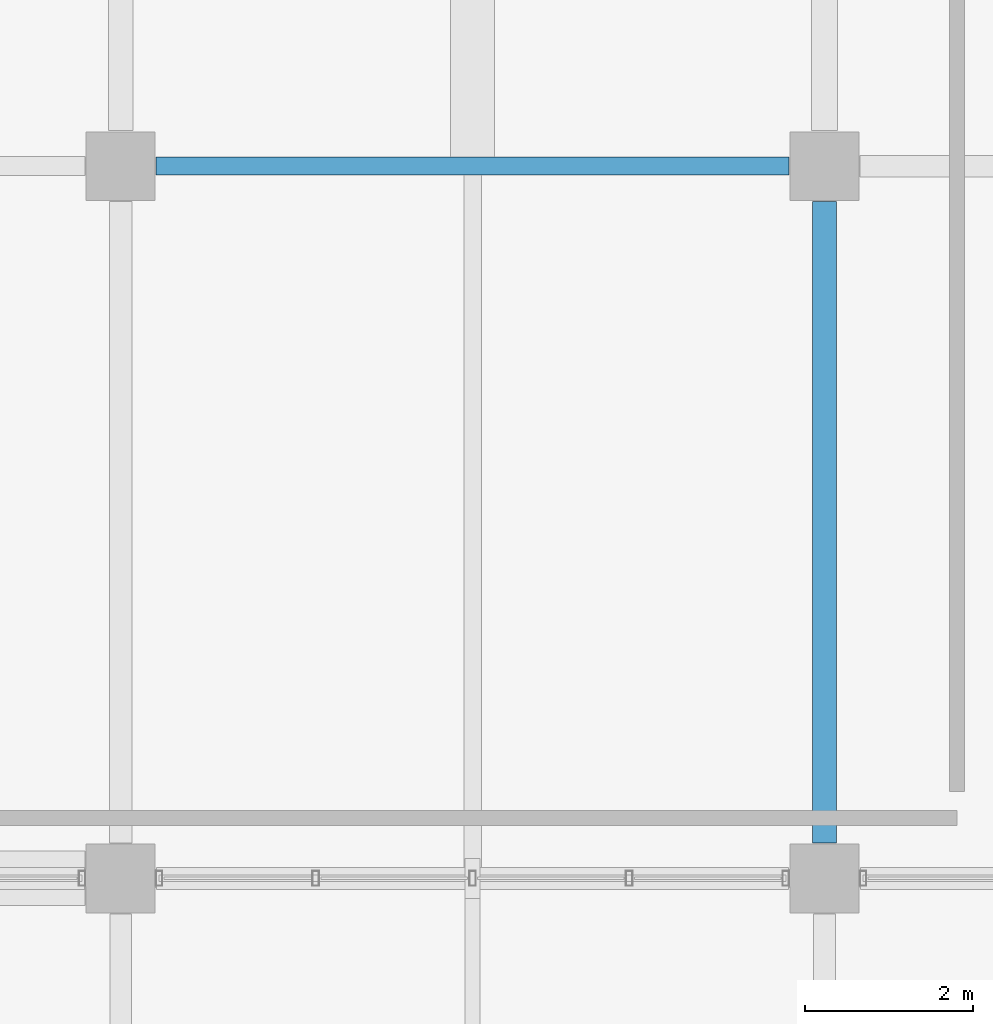
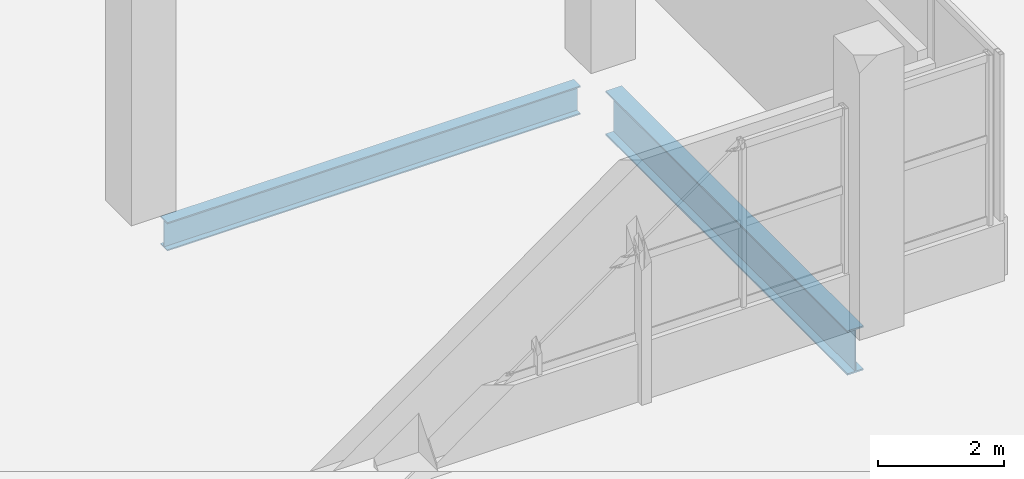
# One storey, part 23 of 107: 2 beams.
"""IFC4 building model written with IfcOpenShell, lengths in metres."""

from ifc_helpers import new_model, si_unit, direction, frame, origin, origin_2d, place, context, subcontext, project, spatial, i_section, extrude, material, material_profile, profile_set, type_object, element, save


model = new_model("IFC4")

# Units and contexts
model_context = context("Model", 3, precision=1e-05, world=origin(), true_north=direction((0.0, 1.0)))
body_context = subcontext(model_context, "Body", "Model", "MODEL_VIEW")
ifc_project = project(units=[si_unit("LENGTHUNIT", "METRE"), si_unit("AREAUNIT", "SQUARE_METRE"), si_unit("VOLUMEUNIT", "CUBIC_METRE"), si_unit("PLANEANGLEUNIT", "RADIAN"), si_unit("MASSUNIT", "GRAM", prefix="KILO")], contexts=[model_context])

# Site, building, storey
site_placement = place(None, origin())
site = spatial("IfcSite", under=ifc_project, at=site_placement, CompositionType="ELEMENT")
building_placement = place(site_placement, origin())
building = spatial("IfcBuilding", under=site, at=building_placement, Name="Solvento Point Concert Hall", CompositionType="ELEMENT")
storey_placement = place(building_placement, origin())
storey = spatial("IfcBuildingStorey", under=building, at=storey_placement, Name="L00", CompositionType="ELEMENT", Elevation=0.0)

# Beams
ifc_material_1 = material(Name="Structural Steel ASTM A992 Grade 50", Category="steel")
ifc_material_profile_1 = material_profile(ifc_material_1, i_section(OverallWidth=0.214111328125, OverallDepth=0.549072265625, WebThickness=0.0146484375, FlangeThickness=0.023681640625, at=origin_2d()), Name="W21X93")
ifc_profile_set_1 = profile_set([ifc_material_profile_1], Name="Structural Steel ASTM A992 Grade 50")
beam_type_1 = type_object("IfcBeamType", Name="Beam_W21X93", PredefinedType="BEAM", material=ifc_profile_set_1)
beam_1_placement = place(storey_placement, frame((7.6240234375, 119.0, -0.6884765625), z_axis=(1.0, 0.0, 0.0), x_axis=(0.0, 1.0, 0.0)))
element("IfcBeam", 1, at=beam_1_placement, inside=storey, type_object=beam_type_1, Name="Primary girder B-48 L00", PredefinedType="BEAM", context=body_context, shape_type="SweptSolid", body=[
    extrude(i_section(OverallWidth=0.214111328125, OverallDepth=0.549072265625, WebThickness=0.0146484375, FlangeThickness=0.023681640625, at=origin_2d()), origin(), (0.0, 0.0, 1.0), 7.552001953125),
])
ifc_material_2 = material(Name="Structural Steel ASTM A992 Grade 50", Category="steel")
ifc_material_profile_2 = material_profile(ifc_material_2, i_section(OverallWidth=0.2919921875, OverallDepth=0.85888671875, WebThickness=0.01708984375, FlangeThickness=0.031005859375, at=origin_2d()), Name="W33X169")
ifc_profile_set_2 = profile_set([ifc_material_profile_2], Name="Structural Steel ASTM A992 Grade 50")
beam_type_2 = type_object("IfcBeamType", Name="Girder_W33X169", PredefinedType="USERDEFINED", material=ifc_profile_set_2)
beam_2_placement = place(storey_placement, frame((15.60009765625, 110.924072265625, -0.843505859375), z_axis=(0.0, 1.0, 0.0), x_axis=(-1.0, 0.0, 0.0)))
element("IfcBeam", 2, at=beam_2_placement, inside=storey, type_object=beam_type_2, Name="Primary girder B-33 L00", ObjectType="GIRDER", PredefinedType="USERDEFINED", context=body_context, shape_type="SweptSolid", body=[
    extrude(i_section(OverallWidth=0.2919921875, OverallDepth=0.85888671875, WebThickness=0.01708984375, FlangeThickness=0.031005859375, at=origin_2d()), origin(), (0.0, 0.0, 1.0), 7.65185546875),
])

save(model, "model.ifc")
